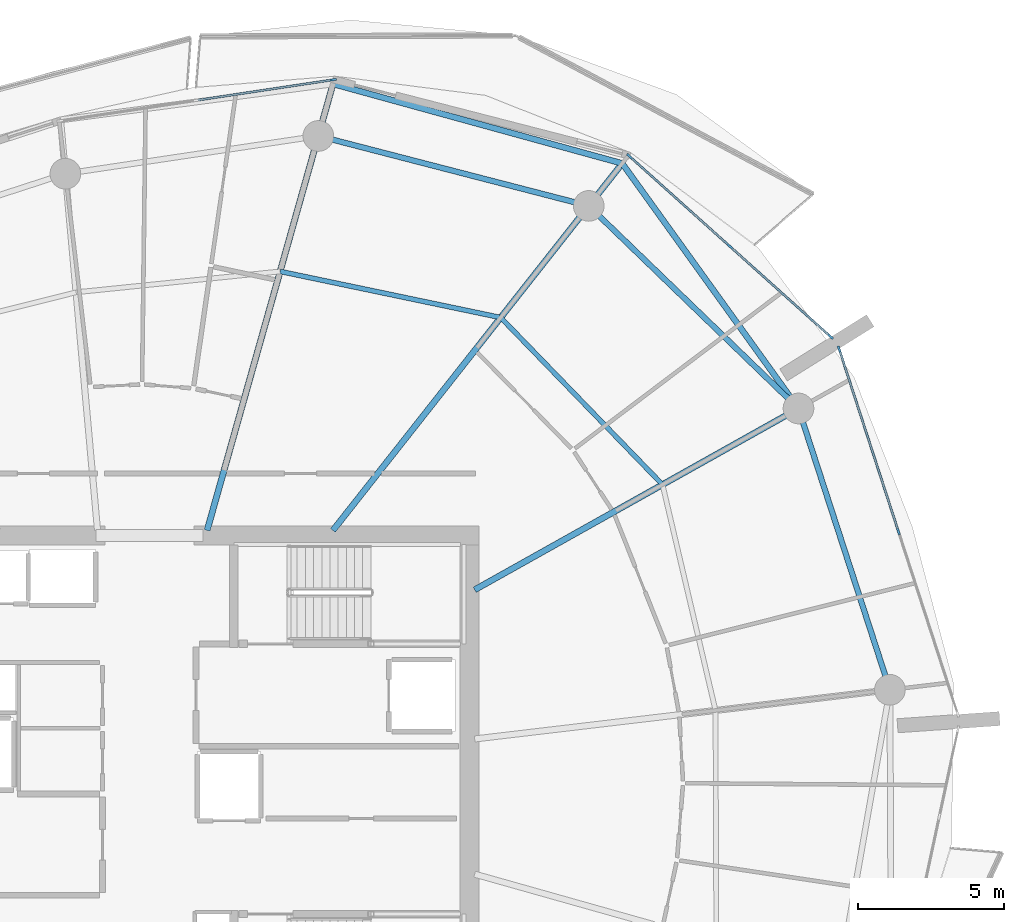
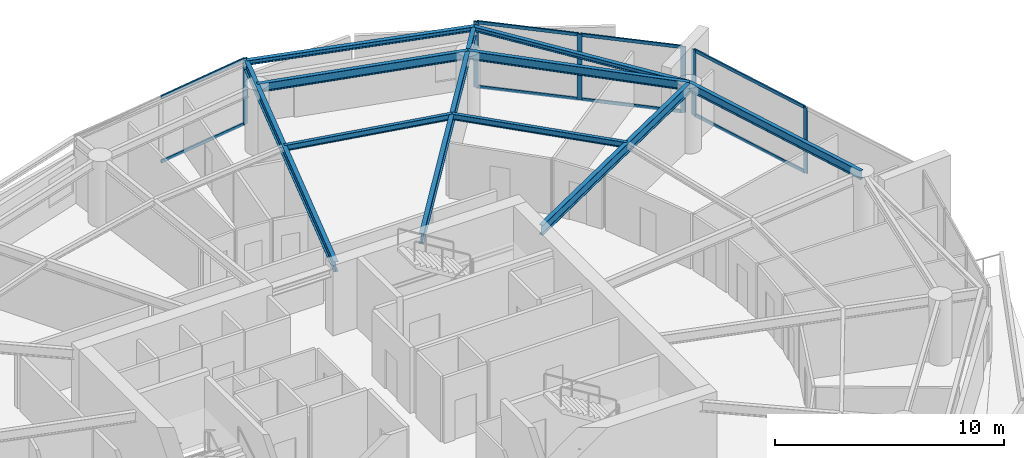
# One storey, part 8 of 19: 14 members, 10 beams, 3 elements without a shape of their own.
"""IFC4 building model written with IfcOpenShell, lengths in metres."""

from ifc_helpers import new_model, si_unit, direction, frame, origin, origin_2d, place, context, subcontext, project, spatial, rectangle, i_section, extrude, material, layer, layer_set, material_profile, profile_set, type_object, element, aggregate, save


model = new_model("IFC4")

# Units and contexts
model_context = context("Model", 3, precision=1e-05, world=origin(), true_north=direction((0.0, 1.0)))
body_context = subcontext(model_context, "Body", "Model", "MODEL_VIEW")
ifc_project = project(units=[si_unit("LENGTHUNIT", "METRE"), si_unit("AREAUNIT", "SQUARE_METRE"), si_unit("VOLUMEUNIT", "CUBIC_METRE"), si_unit("PLANEANGLEUNIT", "RADIAN"), si_unit("MASSUNIT", "GRAM", prefix="KILO")], contexts=[model_context])

# Site, building, storey
site_placement = place(None, origin())
site = spatial("IfcSite", under=ifc_project, at=site_placement, CompositionType="ELEMENT")
building_placement = place(site_placement, origin())
building = spatial("IfcBuilding", under=site, at=building_placement, Name="Kazma Halo Residences", CompositionType="ELEMENT")
storey_placement = place(building_placement, frame((0.0, 0.0, 199.050048828125)))
storey = spatial("IfcBuildingStorey", under=building, at=storey_placement, Name="L50", CompositionType="ELEMENT", Elevation=199.050048828125)

# Beams
ifc_material_1 = material(Name="Steel S355", Category="steel")
ifc_material_profile_1 = material_profile(ifc_material_1, i_section(OverallWidth=0.201904296875, OverallDepth=0.2470703125, WebThickness=0.00732421875, FlangeThickness=0.010986328125, FilletRadius=0.011962890625, at=origin_2d()), Name="W250x49.1")
ifc_profile_set_1 = profile_set([ifc_material_profile_1], Name="Steel S355")
beam_type_1 = type_object("IfcBeamType", Name="BM-BAL-CANT", PredefinedType="BEAM", material=ifc_profile_set_1)
beam_1_placement = place(storey_placement, frame((70.625, 54.670654296875, 3.37646484375), z_axis=(-0.583963922576, 0.811779611181, 0.0), x_axis=(-0.811779611181, -0.583963922576, 0.0)))
element("IfcBeam", 1, at=beam_1_placement, inside=storey, type_object=beam_type_1, Name="L50 wave-balcony lead tie beam 01", PredefinedType="BEAM", context=body_context, shape_type="SweptSolid", body=[
    extrude(i_section(OverallWidth=0.201904296875, OverallDepth=0.2470703125, WebThickness=0.00732421875, FlangeThickness=0.010986328125, FilletRadius=0.011962890625, at=origin_2d()), origin(), (0.0, 0.0, 1.0), 10.324462890625),
])
beam_2_placement = place(storey_placement, frame((64.595947265625, 63.0517578125, 3.37646484375), z_axis=(-0.964197026197, 0.265186905169, 0.0), x_axis=(-0.265186905169, -0.964197026197, 0.0)))
element("IfcBeam", 2, at=beam_2_placement, inside=storey, type_object=beam_type_1, Name="L50 wave-balcony tie beam 02", PredefinedType="BEAM", context=body_context, shape_type="SweptSolid", body=[
    extrude(i_section(OverallWidth=0.201904296875, OverallDepth=0.2470703125, WebThickness=0.00732421875, FlangeThickness=0.010986328125, FilletRadius=0.011962890625, at=origin_2d()), origin(), (0.0, 0.0, 1.0), 10.258544921875),
])
ifc_material_profile_2 = material_profile(ifc_material_1, i_section(OverallWidth=0.208984375, OverallDepth=0.532958984375, WebThickness=0.01025390625, FlangeThickness=0.015625, FilletRadius=0.01611328125, at=origin_2d()), Name="W530x92")
ifc_profile_set_2 = profile_set([ifc_material_profile_2], Name="Steel S355")
beam_type_2 = type_object("IfcBeamType", Name="BM-RAD-W530", PredefinedType="BEAM", material=ifc_profile_set_2)
beam_3_placement = place(storey_placement, frame((59.550048828125, 48.46826171875, 3.2333984375), z_axis=(0.872491912539, 0.488628552742, 0.0), x_axis=(-0.488628552742, 0.872491912539, 0.0)))
element("IfcBeam", 3, at=beam_3_placement, inside=storey, type_object=beam_type_2, Name="L50 radial floor beam 01", PredefinedType="BEAM", context=body_context, shape_type="SweptSolid", body=[
    extrude(i_section(OverallWidth=0.208984375, OverallDepth=0.532958984375, WebThickness=0.01025390625, FlangeThickness=0.015625, FilletRadius=0.01611328125, at=origin_2d()), origin(), (0.0, 0.0, 1.0), 12.693359375),
])
beam_4_placement = place(storey_placement, frame((54.700927734375, 50.5, 3.2333984375), z_axis=(0.61909439419, 0.785316580165, 0.0), x_axis=(-0.785316580165, 0.61909439419, 0.0)))
element("IfcBeam", 4, at=beam_4_placement, inside=storey, type_object=beam_type_2, Name="L50 radial floor beam 02", PredefinedType="BEAM", context=body_context, shape_type="SweptSolid", body=[
    extrude(i_section(OverallWidth=0.208984375, OverallDepth=0.532958984375, WebThickness=0.01025390625, FlangeThickness=0.015625, FilletRadius=0.01611328125, at=origin_2d()), origin(), (0.0, 0.0, 1.0), 15.983154296875),
])
beam_5_placement = place(storey_placement, frame((50.397216796875, 50.5, 3.2333984375), z_axis=(0.271449932859, 0.962452561922, 0.0), x_axis=(-0.962452561922, 0.271449932859, 0.0)))
element("IfcBeam", 5, at=beam_5_placement, inside=storey, type_object=beam_type_2, Name="L50 radial floor beam 03", PredefinedType="BEAM", context=body_context, shape_type="SweptSolid", body=[
    extrude(i_section(OverallWidth=0.208984375, OverallDepth=0.532958984375, WebThickness=0.01025390625, FlangeThickness=0.015625, FilletRadius=0.01611328125, at=origin_2d()), origin(), (0.0, 0.0, 1.0), 15.867919921875),
])
ifc_material_profile_3 = material_profile(ifc_material_1, i_section(OverallWidth=0.1650390625, OverallDepth=0.31005859375, WebThickness=0.005859375, FlangeThickness=0.009765625, FilletRadius=0.011962890625, at=origin_2d()), Name="W310x38.7")
ifc_profile_set_3 = profile_set([ifc_material_profile_3], Name="Steel S355")
beam_type_3 = type_object("IfcBeamType", Name="BM-SEC-W310B", PredefinedType="JOIST", material=ifc_profile_set_3)
beam_6_placement = place(storey_placement, frame((65.9736328125, 52.065673828125, 3.344970703125), z_axis=(-0.695659633946, 0.718371542934, 0.0), x_axis=(-0.718371542934, -0.695659633946, 0.0)))
element("IfcBeam", 6, at=beam_6_placement, inside=storey, type_object=beam_type_3, Name="L50 circumferential floor joist 01", PredefinedType="JOIST", context=body_context, shape_type="SweptSolid", body=[
    extrude(i_section(OverallWidth=0.1650390625, OverallDepth=0.31005859375, WebThickness=0.005859375, FlangeThickness=0.009765625, FilletRadius=0.011962890625, at=origin_2d()), origin(), (0.0, 0.0, 1.0), 7.95458984375),
])
beam_7_placement = place(storey_placement, frame((60.43994140625, 57.780029296875, 3.344970703125), z_axis=(-0.978821484976, 0.204715657802, 0.0), x_axis=(-0.204715657802, -0.978821484976, 0.0)))
element("IfcBeam", 7, at=beam_7_placement, inside=storey, type_object=beam_type_3, Name="L50 circumferential floor joist 02", PredefinedType="JOIST", context=body_context, shape_type="SweptSolid", body=[
    extrude(i_section(OverallWidth=0.1650390625, OverallDepth=0.31005859375, WebThickness=0.005859375, FlangeThickness=0.009765625, FilletRadius=0.011962890625, at=origin_2d()), origin(), (0.0, 0.0, 1.0), 7.707763671875),
])
ifc_material_profile_4 = material_profile(ifc_material_1, i_section(OverallWidth=0.18994140625, OverallDepth=0.45703125, WebThickness=0.009033203125, FlangeThickness=0.014404296875, FilletRadius=0.01611328125, at=origin_2d()), Name="W460x74")
ifc_profile_set_4 = profile_set([ifc_material_profile_4], Name="Steel S355")
beam_type_4 = type_object("IfcBeamType", Name="BM-SPN-W460", PredefinedType="BEAM", material=ifc_profile_set_4)
beam_8_placement = place(storey_placement, frame((70.625, 54.670654296875, 3.271484375), z_axis=(-0.71933650181, 0.694661786169, 0.0), x_axis=(-0.694661786169, -0.71933650181, 0.0)))
element("IfcBeam", 8, at=beam_8_placement, inside=storey, type_object=beam_type_4, Name="L50 perimeter ring beam 01", PredefinedType="BEAM", context=body_context, shape_type="SweptSolid", body=[
    extrude(i_section(OverallWidth=0.18994140625, OverallDepth=0.45703125, WebThickness=0.009033203125, FlangeThickness=0.014404296875, FilletRadius=0.01611328125, at=origin_2d()), origin(), (0.0, 0.0, 1.0), 9.9736328125),
])
beam_9_placement = place(storey_placement, frame((63.45068359375, 61.598876953125, 3.271484375), z_axis=(-0.968120950739, 0.25048318255, 0.0), x_axis=(-0.25048318255, -0.968120950739, 0.0)))
element("IfcBeam", 9, at=beam_9_placement, inside=storey, type_object=beam_type_4, Name="L50 perimeter ring beam 02", PredefinedType="BEAM", context=body_context, shape_type="SweptSolid", body=[
    extrude(i_section(OverallWidth=0.18994140625, OverallDepth=0.45703125, WebThickness=0.009033203125, FlangeThickness=0.014404296875, FilletRadius=0.01611328125, at=origin_2d()), origin(), (0.0, 0.0, 1.0), 9.552734375),
])
beam_10_placement = place(storey_placement, frame((73.751708984375, 45.0478515625, 3.271484375), z_axis=(-0.309023327426, 0.951054458539, 0.0), x_axis=(-0.951054458539, -0.309023327426, 0.0)))
element("IfcBeam", 10, at=beam_10_placement, inside=storey, type_object=beam_type_4, Name="L50 perimeter ring beam 16", PredefinedType="BEAM", context=body_context, shape_type="SweptSolid", body=[
    extrude(i_section(OverallWidth=0.18994140625, OverallDepth=0.45703125, WebThickness=0.009033203125, FlangeThickness=0.014404296875, FilletRadius=0.01611328125, at=origin_2d()), origin(), (0.0, 0.0, 1.0), 10.117919921875),
])

# Curtain wall, members
ifc_material_2 = material(Name="Aluminium AW-6063 T6 and Triple-Silver Low-E Glass", Category="aluminium")
ifc_layer = layer(ifc_material_2, 0.219970703125)
ifc_layer_set = layer_set([ifc_layer], Name="Aluminium AW-6063 T6 and Triple-Silver Low-E Glass")
curtain_wall_type = type_object("IfcCurtainWallType", Name="CW-SYS-4", PredefinedType="NOTDEFINED", material=ifc_layer_set)
curtain_wall_1_placement = place(storey_placement, origin())
curtain_wall_1 = element("IfcCurtainWall", 11, at=curtain_wall_1_placement, inside=storey, type_object=curtain_wall_type, Name="L50 unitised curtain wall B01", PredefinedType="NOTDEFINED")
ifc_material_3 = material(Name="Aluminium AW-6063 T6", Category="aluminium")
ifc_material_profile_5 = material_profile(ifc_material_3, rectangle(XDim=0.074951171875, YDim=0.219970703125, at=origin_2d()), Name="CWM-75x220")
ifc_profile_set_5 = profile_set([ifc_material_profile_5], Name="Aluminium AW-6063 T6")
member_type_1 = type_object("IfcMemberType", Name="CW-SYS-4-MUL", PredefinedType="MULLION", material=ifc_profile_set_5)
member_1_placement = place(storey_placement, frame((71.7216796875, 57.126220703125, 0.0), z_axis=(0.0, 0.0, 1.0), x_axis=(-0.667784328806, -0.744354814723, 0.0)))
member_1 = element("IfcMember", 12, at=member_1_placement, type_object=member_type_1, Name="CWS-4 mullion 1", PredefinedType="MULLION", context=body_context, shape_type="SweptSolid", body=[
    extrude(rectangle(XDim=0.074951171875, YDim=0.219970703125, at=origin_2d()), origin(), (0.0, 0.0, 1.0), 3.5),
])
member_2_placement = place(storey_placement, frame((68.280517578125, 60.213134765625, 0.0), z_axis=(0.0, 0.0, 1.0), x_axis=(-0.667784328806, -0.744354814723, 0.0)))
member_2 = element("IfcMember", 13, at=member_2_placement, type_object=member_type_1, Name="CWS-4 mullion 2", PredefinedType="MULLION", context=body_context, shape_type="SweptSolid", body=[
    extrude(rectangle(XDim=0.074951171875, YDim=0.219970703125, at=origin_2d()), origin(), (0.0, 0.0, 1.0), 3.5),
])
member_3_placement = place(storey_placement, frame((64.839599609375, 63.30029296875, 0.0), z_axis=(0.0, 0.0, 1.0), x_axis=(-0.667784328806, -0.744354814723, 0.0)))
member_3 = element("IfcMember", 14, at=member_3_placement, type_object=member_type_1, Name="CWS-4 mullion 3", PredefinedType="MULLION", context=body_context, shape_type="SweptSolid", body=[
    extrude(rectangle(XDim=0.074951171875, YDim=0.219970703125, at=origin_2d()), origin(), (0.0, 0.0, 1.0), 3.5),
])

# Curtain wall, member
curtain_wall_2_placement = place(storey_placement, origin())
curtain_wall_2 = element("IfcCurtainWall", 15, at=curtain_wall_2_placement, inside=storey, type_object=curtain_wall_type, Name="L50 unitised curtain wall B03", PredefinedType="NOTDEFINED")
member_4_placement = place(storey_placement, frame((54.708740234375, 65.913330078125, 0.0), z_axis=(0.0, 0.0, 1.0), x_axis=(0.148772639188, -0.988871428361, 0.0)))
member_4 = element("IfcMember", 16, at=member_4_placement, type_object=member_type_1, Name="CWS-4 mullion 1", PredefinedType="MULLION", context=body_context, shape_type="SweptSolid", body=[
    extrude(rectangle(XDim=0.074951171875, YDim=0.219970703125, at=origin_2d()), origin(), (0.0, 0.0, 1.0), 3.5),
])

# Curtain wall, members
curtain_wall_3_placement = place(storey_placement, origin())
curtain_wall_3 = element("IfcCurtainWall", 17, at=curtain_wall_3_placement, inside=storey, type_object=curtain_wall_type, Name="L50 unitised curtain wall B16", PredefinedType="NOTDEFINED")
member_5_placement = place(storey_placement, frame((74.04345703125, 50.4619140625, 0.0), z_axis=(0.0, 0.0, 1.0), x_axis=(-0.951056893636, -0.309015833038, 0.0)))
member_5 = element("IfcMember", 18, at=member_5_placement, type_object=member_type_1, Name="CWS-4 mullion 2", PredefinedType="MULLION", context=body_context, shape_type="SweptSolid", body=[
    extrude(rectangle(XDim=0.074951171875, YDim=0.219970703125, at=origin_2d()), origin(), (0.0, 0.0, 1.0), 3.5),
])
member_6_placement = place(storey_placement, frame((72.015625, 56.702880859375, 0.0), z_axis=(0.0, 0.0, 1.0), x_axis=(-0.951056893636, -0.309015833038, 0.0)))
member_6 = element("IfcMember", 19, at=member_6_placement, type_object=member_type_1, Name="CWS-4 mullion 3", PredefinedType="MULLION", context=body_context, shape_type="SweptSolid", body=[
    extrude(rectangle(XDim=0.074951171875, YDim=0.219970703125, at=origin_2d()), origin(), (0.0, 0.0, 1.0), 3.5),
])

# Member
ifc_material_profile_6 = material_profile(ifc_material_3, rectangle(XDim=0.074951171875, YDim=0.1650390625, at=origin_2d()), Name="CWT-75x165")
ifc_profile_set_6 = profile_set([ifc_material_profile_6], Name="Aluminium AW-6063 T6")
member_type_2 = type_object("IfcMemberType", Name="CW-SYS-4-TRN", PredefinedType="USERDEFINED", material=ifc_profile_set_6)
member_7_placement = place(storey_placement, frame((71.69384765625, 57.151123046875, 0.037353515625), z_axis=(-0.744344906673, 0.667795372783, 0.0), x_axis=(-0.667795372783, -0.744344906673, 0.0)))
member_7 = element("IfcMember", 20, at=member_7_placement, type_object=member_type_2, Name="CWS-4 transom 1.1", ObjectType="TRANSOM", PredefinedType="USERDEFINED", context=body_context, shape_type="SweptSolid", body=[
    extrude(rectangle(XDim=0.074951171875, YDim=0.1650390625, at=origin_2d()), origin(), (0.0, 0.0, 1.0), 4.5478515625),
])

member_8_placement = place(storey_placement, frame((71.69384765625, 57.151123046875, 3.46240234375), z_axis=(-0.744344906673, 0.667795372783, 0.0), x_axis=(-0.667795372783, -0.744344906673, 0.0)))
member_8 = element("IfcMember", 21, at=member_8_placement, type_object=member_type_2, Name="CWS-4 transom 1.2", ObjectType="TRANSOM", PredefinedType="USERDEFINED", context=body_context, shape_type="SweptSolid", body=[
    extrude(rectangle(XDim=0.074951171875, YDim=0.1650390625, at=origin_2d()), origin(), (0.0, 0.0, 1.0), 4.5478515625),
])

member_9_placement = place(storey_placement, frame((68.252685546875, 60.23828125, 0.037353515625), z_axis=(-0.744344906673, 0.667795372783, 0.0), x_axis=(-0.667795372783, -0.744344906673, 0.0)))
member_9 = element("IfcMember", 22, at=member_9_placement, type_object=member_type_2, Name="CWS-4 transom 2.1", ObjectType="TRANSOM", PredefinedType="USERDEFINED", context=body_context, shape_type="SweptSolid", body=[
    extrude(rectangle(XDim=0.074951171875, YDim=0.1650390625, at=origin_2d()), origin(), (0.0, 0.0, 1.0), 4.5478515625),
])

member_10_placement = place(storey_placement, frame((68.252685546875, 60.23828125, 3.46240234375), z_axis=(-0.744344906673, 0.667795372783, 0.0), x_axis=(-0.667795372783, -0.744344906673, 0.0)))
member_10 = element("IfcMember", 23, at=member_10_placement, type_object=member_type_2, Name="CWS-4 transom 2.2", ObjectType="TRANSOM", PredefinedType="USERDEFINED", context=body_context, shape_type="SweptSolid", body=[
    extrude(rectangle(XDim=0.074951171875, YDim=0.1650390625, at=origin_2d()), origin(), (0.0, 0.0, 1.0), 4.5478515625),
])

aggregate(curtain_wall_1, [member_1, member_2, member_3, member_7, member_8, member_9, member_10])

member_11_placement = place(storey_placement, frame((54.671630859375, 65.907958984375, 0.037353515625), z_axis=(-0.988867623216, -0.148797929272, 0.0), x_axis=(0.148797929272, -0.988867623216, 0.0)))
member_11 = element("IfcMember", 24, at=member_11_placement, type_object=member_type_2, Name="CWS-4 transom 1.1", ObjectType="TRANSOM", PredefinedType="USERDEFINED", context=body_context, shape_type="SweptSolid", body=[
    extrude(rectangle(XDim=0.074951171875, YDim=0.1650390625, at=origin_2d()), origin(), (0.0, 0.0, 1.0), 4.64501953125),
])

member_12_placement = place(storey_placement, frame((54.671630859375, 65.907958984375, 3.46240234375), z_axis=(-0.988867623216, -0.148797929272, 0.0), x_axis=(0.148797929272, -0.988867623216, 0.0)))
member_12 = element("IfcMember", 25, at=member_12_placement, type_object=member_type_2, Name="CWS-4 transom 1.2", ObjectType="TRANSOM", PredefinedType="USERDEFINED", context=body_context, shape_type="SweptSolid", body=[
    extrude(rectangle(XDim=0.074951171875, YDim=0.1650390625, at=origin_2d()), origin(), (0.0, 0.0, 1.0), 4.64501953125),
])

aggregate(curtain_wall_2, [member_4, member_11, member_12])

member_13_placement = place(storey_placement, frame((74.031982421875, 50.49755859375, 0.037353515625), z_axis=(-0.309015440644, 0.951057021132, 0.0), x_axis=(-0.951057021132, -0.309015440644, 0.0)))
member_13 = element("IfcMember", 26, at=member_13_placement, type_object=member_type_2, Name="CWS-4 transom 2.1", ObjectType="TRANSOM", PredefinedType="USERDEFINED", context=body_context, shape_type="SweptSolid", body=[
    extrude(rectangle(XDim=0.074951171875, YDim=0.1650390625, at=origin_2d()), origin(), (0.0, 0.0, 1.0), 6.487060546875),
])

member_14_placement = place(storey_placement, frame((74.031982421875, 50.49755859375, 3.46240234375), z_axis=(-0.309015440644, 0.951057021132, 0.0), x_axis=(-0.951057021132, -0.309015440644, 0.0)))
member_14 = element("IfcMember", 27, at=member_14_placement, type_object=member_type_2, Name="CWS-4 transom 2.2", ObjectType="TRANSOM", PredefinedType="USERDEFINED", context=body_context, shape_type="SweptSolid", body=[
    extrude(rectangle(XDim=0.074951171875, YDim=0.1650390625, at=origin_2d()), origin(), (0.0, 0.0, 1.0), 6.487060546875),
])

aggregate(curtain_wall_3, [member_5, member_6, member_13, member_14])

save(model, "model.ifc")
